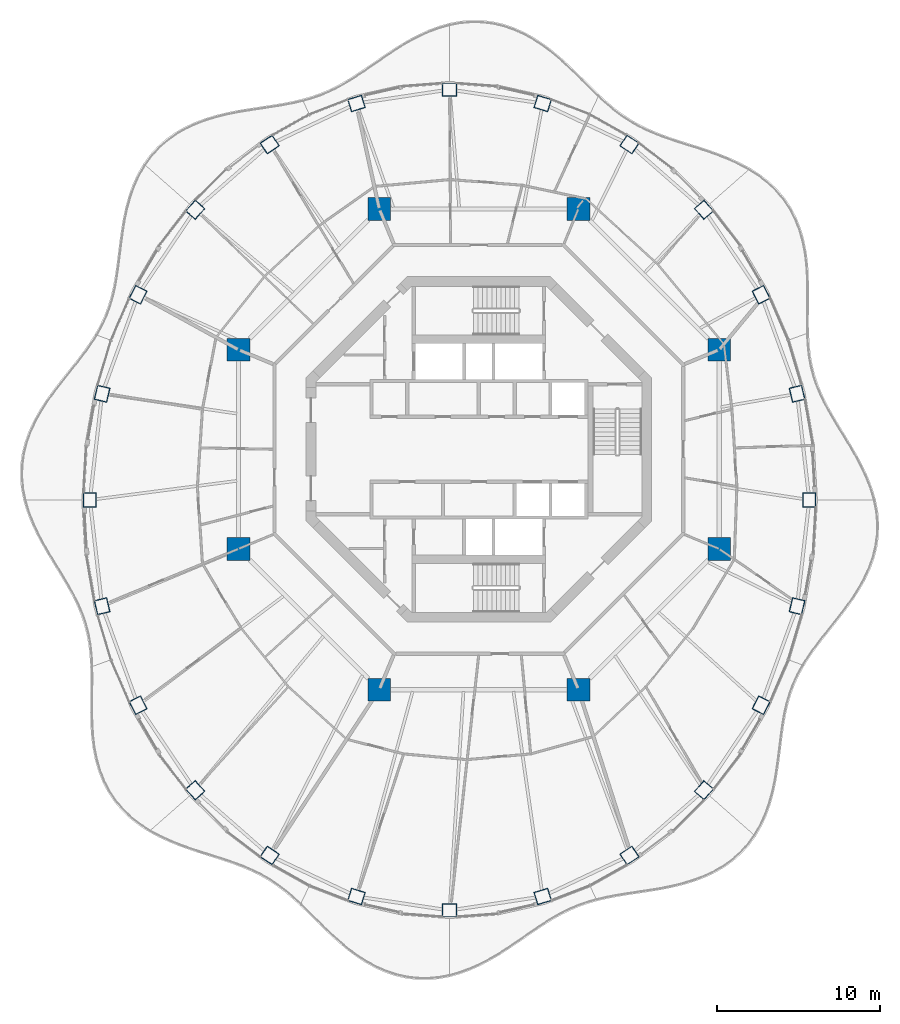
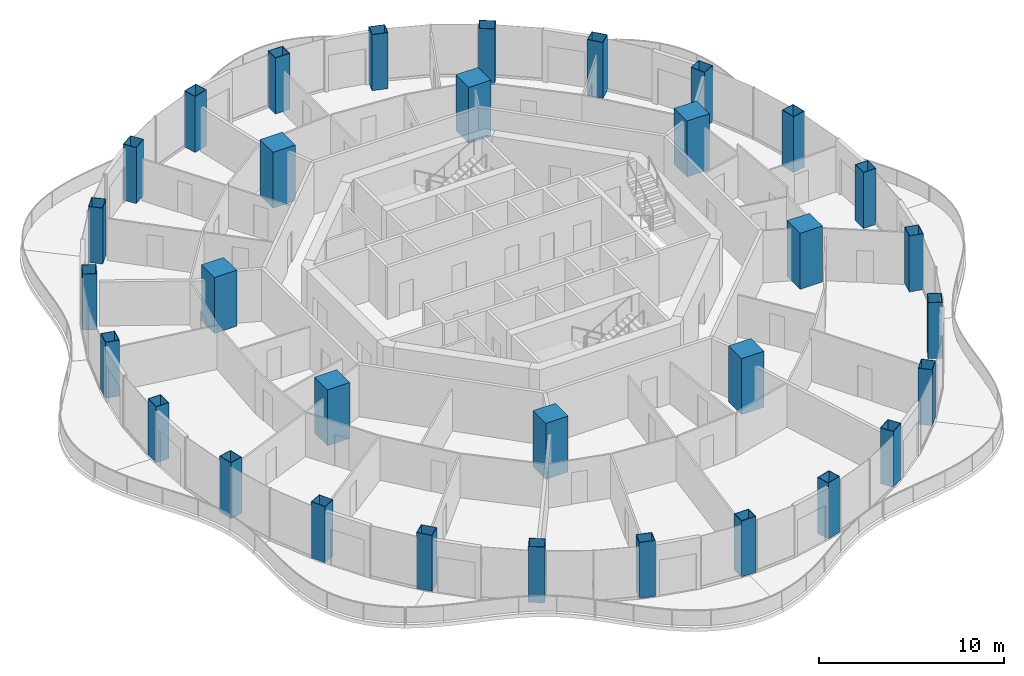
# One storey, part 1 of 17: 32 columns.
"""IFC4 building model written with IfcOpenShell, lengths in metres."""

from ifc_helpers import new_model, si_unit, direction, frame, origin, origin_2d, place, context, subcontext, project, spatial, rectangle, hollow_rectangle, extrude, material, material_profile, profile_set, type_object, element, save


model = new_model("IFC4")

# Units and contexts
model_context = context("Model", 3, precision=1e-05, world=origin(), true_north=direction((0.0, 1.0)))
body_context = subcontext(model_context, "Body", "Model", "MODEL_VIEW")
ifc_project = project(units=[si_unit("LENGTHUNIT", "METRE"), si_unit("AREAUNIT", "SQUARE_METRE"), si_unit("VOLUMEUNIT", "CUBIC_METRE"), si_unit("PLANEANGLEUNIT", "RADIAN"), si_unit("MASSUNIT", "GRAM", prefix="KILO")], contexts=[model_context])

# Site, building, storey
site_placement = place(None, origin())
site = spatial("IfcSite", under=ifc_project, at=site_placement, CompositionType="ELEMENT")
building_placement = place(site_placement, origin())
building = spatial("IfcBuilding", under=site, at=building_placement, Name="Nagisa Residences", CompositionType="ELEMENT")
storey_placement = place(building_placement, frame((0.0, 0.0, 273.300048828125)))
storey = spatial("IfcBuildingStorey", under=building, at=storey_placement, Name="L69", CompositionType="ELEMENT", Elevation=273.300048828125)

# Columns
ifc_material_1 = material(Name="Concrete C80", Category="concrete")
ifc_material_profile_1 = material_profile(ifc_material_1, rectangle(XDim=1.39990234375, YDim=1.39990234375, at=origin_2d()), Name="C80 1400x1400")
ifc_profile_set_1 = profile_set([ifc_material_profile_1], Name="Concrete C80")
column_type_1 = type_object("IfcColumnType", Name="Inner megacolumn C80 1400x1400", PredefinedType="COLUMN", material=ifc_profile_set_1)
for number, where, z_axis, x_axis, name in (
    (1, (14.781982421875, 6.123046875, 0.0), (0.0, 0.0, 1.0), (1.0, 0.0, 0.0), "col:L69:i1"),
    (2, (6.123046875, 14.781982421875, 0.0), (0.0, 0.0, 1.0), (1.0, 0.0, 0.0), "col:L69:i2"),
    (3, (-6.123046875, 14.781982421875, 0.0), (0.0, 0.0, 1.0), (1.0, 0.0, 0.0), "col:L69:i3"),
    (4, (-14.781982421875, 6.123046875, 0.0), (0.0, 0.0, 1.0), (1.0, 0.0, 0.0), "col:L69:i4"),
    (5, (-14.781982421875, -6.123046875, 0.0), (0.0, 0.0, 1.0), (1.0, 0.0, 0.0), "col:L69:i5"),
    (6, (-6.123046875, -14.781982421875, 0.0), (0.0, 0.0, 1.0), (1.0, 0.0, 0.0), "col:L69:i6"),
    (7, (6.123046875, -14.781982421875, 0.0), (0.0, 0.0, 1.0), (1.0, 0.0, 0.0), "col:L69:i7"),
    (8, (14.781982421875, -6.123046875, 0.0), (0.0, 0.0, 1.0), (1.0, 0.0, 0.0), "col:L69:i8"),
):
    element("IfcColumn", number, at=place(storey_placement, frame(where, z_axis=z_axis, x_axis=x_axis)), inside=storey, type_object=column_type_1, Name=name, PredefinedType="COLUMN", context=body_context, shape_type="SweptSolid", body=[
        extrude(rectangle(XDim=1.39990234375, YDim=1.39990234375, at=origin_2d()), origin(), (0.0, 0.0, 1.0), 3.699951171875),
    ])
ifc_material_2 = material(Name="Steel ASTM A572 Gr 50", Category="steel")
ifc_material_profile_2 = material_profile(ifc_material_2, hollow_rectangle(XDim=0.89990234375, YDim=0.800048828125, WallThickness=0.028076171875, at=origin_2d()), Name="BX 900x800x28")
ifc_profile_set_2 = profile_set([ifc_material_profile_2], Name="Steel ASTM A572 Gr 50")
column_type_2 = type_object("IfcColumnType", Name="Perimeter column BX 900x800x28", PredefinedType="COLUMN", material=ifc_profile_set_2)
for number, where, z_axis, x_axis, name in (
    (9, (20.320068359375, -3.11767578125, 0.0), (0.0, 0.0, 1.0), (0.0, 1.0, 0.0), "col:L69:p00"),
    (10, (19.566162109375, 3.414794921875, 0.0), (0.0, 0.0, 1.0), (-0.229202013103, 0.973378876486, 0.0), "col:L69:p01"),
    (11, (17.3564453125, 9.502197265625, 0.0), (0.0, 0.0, 1.0), (-0.452462697578, 0.891783329795, 0.0), "col:L69:p02"),
    (12, (13.84130859375, 14.729736328125, 0.0), (0.0, 0.0, 1.0), (-0.660114607735, 0.751164898445, 0.0), "col:L69:p03"),
    (13, (9.260009765625, 18.74072265625, 0.0), (0.0, 0.0, 1.0), (-0.835766105673, 0.54908561865, 0.0), "col:L69:p04"),
    (14, (3.925048828125, 21.26220703125, 0.0), (0.0, 0.0, 1.0), (-0.956524583408, 0.291651712384, 0.0), "col:L69:p05"),
    (15, (-1.800048828125, 22.122314453125, 0.0), (0.0, 0.0, 1.0), (-1.0, 0.0, 0.0), "col:L69:p06"),
    (16, (-7.525146484375, 21.26220703125, 0.0), (0.0, 0.0, 1.0), (-0.956524583408, -0.291651712384, 0.0), "col:L69:p07"),
    (17, (-12.860107421875, 18.74072265625, 0.0), (0.0, 0.0, 1.0), (-0.835766105673, -0.54908561865, 0.0), "col:L69:p08"),
    (18, (-17.441162109375, 14.729736328125, 0.0), (0.0, 0.0, 1.0), (-0.660114607735, -0.751164898445, 0.0), "col:L69:p09"),
    (19, (-20.95654296875, 9.502197265625, 0.0), (0.0, 0.0, 1.0), (-0.452462697578, -0.891783329795, 0.0), "col:L69:p10"),
    (20, (-23.166259765625, 3.414794921875, 0.0), (0.0, 0.0, 1.0), (-0.229202013103, -0.973378876486, 0.0), "col:L69:p11"),
    (21, (-23.919921875, -3.11767578125, 0.0), (0.0, 0.0, 1.0), (0.0, -1.0, 0.0), "col:L69:p12"),
    (22, (-23.166259765625, -9.650390625, 0.0), (0.0, 0.0, 1.0), (0.229202013103, -0.973378876486, 0.0), "col:L69:p13"),
    (23, (-20.95654296875, -15.73779296875, 0.0), (0.0, 0.0, 1.0), (0.452462697578, -0.891783329795, 0.0), "col:L69:p14"),
    (24, (-17.441162109375, -20.965087890625, 0.0), (0.0, 0.0, 1.0), (0.660114607735, -0.751164898445, 0.0), "col:L69:p15"),
    (25, (-12.860107421875, -24.97607421875, 0.0), (0.0, 0.0, 1.0), (0.835766105673, -0.54908561865, 0.0), "col:L69:p16"),
    (26, (-7.525146484375, -27.49755859375, 0.0), (0.0, 0.0, 1.0), (0.956524583408, -0.291651712384, 0.0), "col:L69:p17"),
    (27, (-1.800048828125, -28.357666015625, 0.0), (0.0, 0.0, 1.0), (1.0, 0.0, 0.0), "col:L69:p18"),
    (28, (3.925048828125, -27.49755859375, 0.0), (0.0, 0.0, 1.0), (0.956524583408, 0.291651712384, 0.0), "col:L69:p19"),
    (29, (9.260009765625, -24.97607421875, 0.0), (0.0, 0.0, 1.0), (0.835766105673, 0.54908561865, 0.0), "col:L69:p20"),
    (30, (13.84130859375, -20.965087890625, 0.0), (0.0, 0.0, 1.0), (0.660114607735, 0.751164898445, 0.0), "col:L69:p21"),
    (31, (17.3564453125, -15.73779296875, 0.0), (0.0, 0.0, 1.0), (0.452462697578, 0.891783329795, 0.0), "col:L69:p22"),
    (32, (19.566162109375, -9.650390625, 0.0), (0.0, 0.0, 1.0), (0.229202013103, 0.973378876486, 0.0), "col:L69:p23"),
):
    element("IfcColumn", number, at=place(storey_placement, frame(where, z_axis=z_axis, x_axis=x_axis)), inside=storey, type_object=column_type_2, Name=name, PredefinedType="COLUMN", context=body_context, shape_type="SweptSolid", body=[
        extrude(hollow_rectangle(XDim=0.89990234375, YDim=0.800048828125, WallThickness=0.028076171875, at=origin_2d()), origin(), (0.0, 0.0, 1.0), 3.699951171875),
    ])

save(model, "model.ifc")
